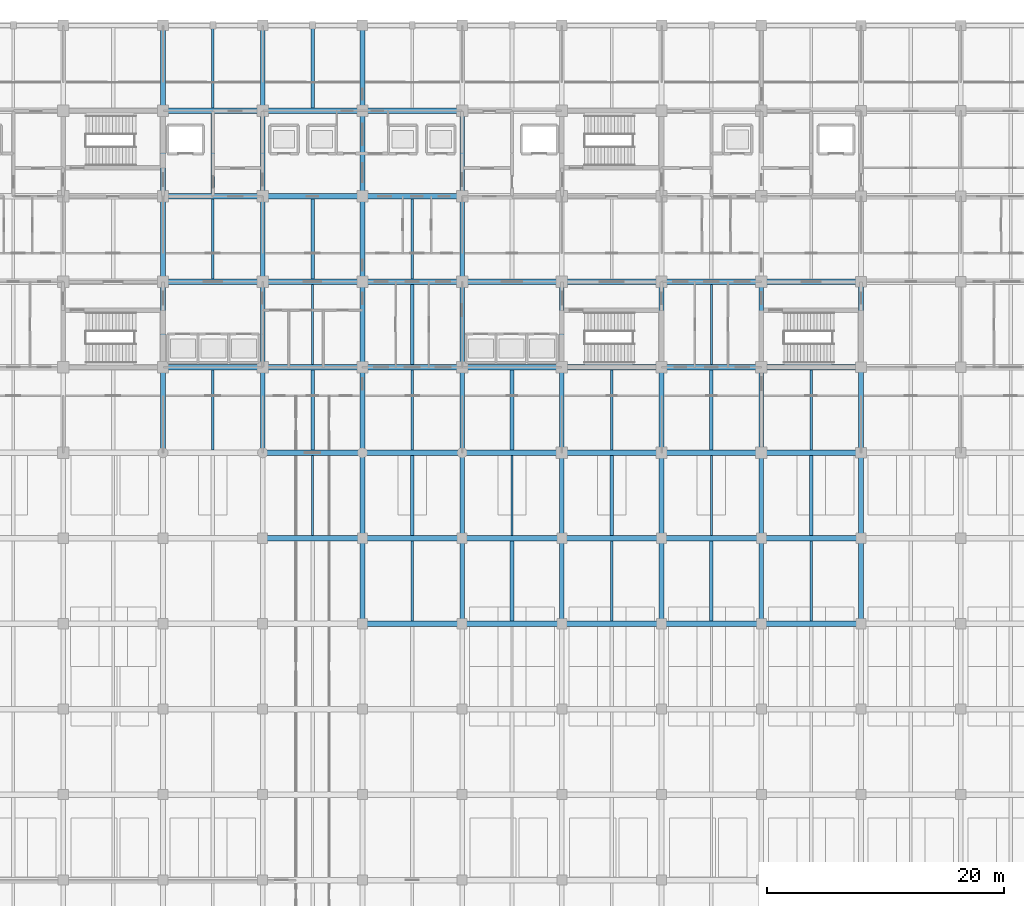
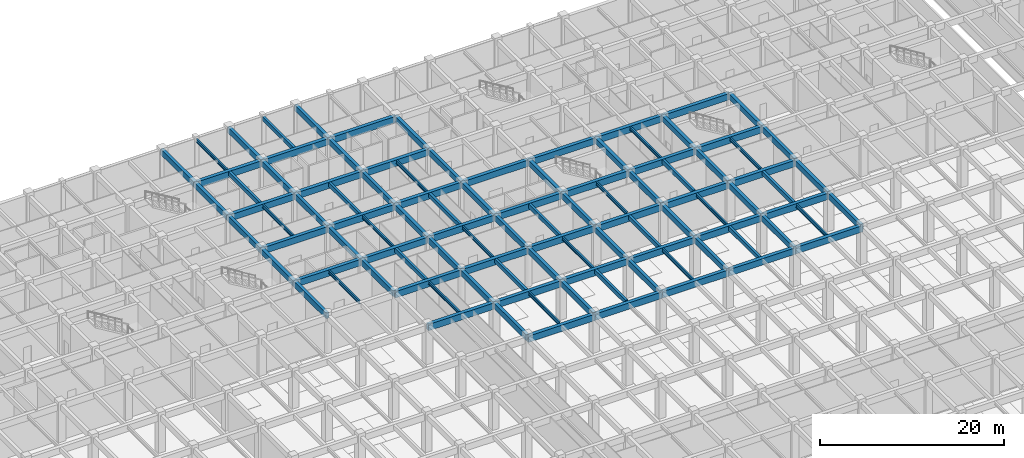
# One storey, part 8 of 48: 103 beams.
"""IFC4 building model written with IfcOpenShell, lengths in metres."""

from ifc_helpers import new_model, si_unit, direction, frame, origin, origin_2d, place, context, subcontext, project, spatial, rectangle, i_section, extrude, material, material_profile, profile_set, type_object, element, save


model = new_model("IFC4")

# Units and contexts
model_context = context("Model", 3, precision=1e-05, world=origin(), true_north=direction((0.0, 1.0)))
body_context = subcontext(model_context, "Body", "Model", "MODEL_VIEW")
ifc_project = project(units=[si_unit("LENGTHUNIT", "METRE"), si_unit("AREAUNIT", "SQUARE_METRE"), si_unit("VOLUMEUNIT", "CUBIC_METRE"), si_unit("PLANEANGLEUNIT", "RADIAN"), si_unit("MASSUNIT", "GRAM", prefix="KILO")], contexts=[model_context])

# Site, building, storey
site_placement = place(None, origin())
site = spatial("IfcSite", under=ifc_project, at=site_placement, CompositionType="ELEMENT")
building_placement = place(site_placement, origin())
building = spatial("IfcBuilding", under=site, at=building_placement, Name="Chengyuan Square Courthouse", CompositionType="ELEMENT")
storey_placement = place(building_placement, frame((0.0, 0.0, -5.39990234375)))
storey = spatial("IfcBuildingStorey", under=building, at=storey_placement, Name="B01", CompositionType="ELEMENT", Elevation=-5.39990234375)

# Beams
ifc_material_1 = material(Name="Concrete C40", Category="concrete")
ifc_material_profile_1 = material_profile(ifc_material_1, rectangle(XDim=0.449951171875, YDim=0.85009765625, at=origin_2d()), Name="RC-BM-450x850")
ifc_profile_set_1 = profile_set([ifc_material_profile_1], Name="Concrete C40")
beam_type_1 = type_object("IfcBeamType", Name="BM-01", PredefinedType="USERDEFINED", material=ifc_profile_set_1)
beam_1_placement = place(storey_placement, frame((84.0, 64.800048828125, 4.554931640625), z_axis=(1.0, 0.0, 0.0), x_axis=(0.0, 1.0, 0.0)))
element("IfcBeam", 1, at=beam_1_placement, inside=storey, type_object=beam_type_1, Name="Girder BM-B01-0861", ObjectType="GIRDER", PredefinedType="USERDEFINED", context=body_context, shape_type="SweptSolid", body=[
    extrude(rectangle(XDim=0.449951171875, YDim=0.85009765625, at=origin_2d()), origin(), (0.0, 0.0, 1.0), 8.39990234375),
])
beam_2_placement = place(storey_placement, frame((92.39990234375, 64.800048828125, 4.554931640625), z_axis=(1.0, 0.0, 0.0), x_axis=(0.0, 1.0, 0.0)))
element("IfcBeam", 2, at=beam_2_placement, inside=storey, type_object=beam_type_1, Name="Girder BM-B01-0862", ObjectType="GIRDER", PredefinedType="USERDEFINED", context=body_context, shape_type="SweptSolid", body=[
    extrude(rectangle(XDim=0.449951171875, YDim=0.85009765625, at=origin_2d()), origin(), (0.0, 0.0, 1.0), 8.400146484375),
])
beam_3_placement = place(storey_placement, frame((100.800048828125, 64.800048828125, 4.554931640625), z_axis=(1.0, 0.0, 0.0), x_axis=(0.0, 1.0, 0.0)))
element("IfcBeam", 3, at=beam_3_placement, inside=storey, type_object=beam_type_1, Name="Girder BM-B01-0863", ObjectType="GIRDER", PredefinedType="USERDEFINED", context=body_context, shape_type="SweptSolid", body=[
    extrude(rectangle(XDim=0.449951171875, YDim=0.85009765625, at=origin_2d()), origin(), (0.0, 0.0, 1.0), 8.39990234375),
])
beam_4_placement = place(storey_placement, frame((109.199951171875, 64.800048828125, 4.554931640625), z_axis=(1.0, 0.0, 0.0), x_axis=(0.0, 1.0, 0.0)))
element("IfcBeam", 4, at=beam_4_placement, inside=storey, type_object=beam_type_1, Name="Girder BM-B01-0864", ObjectType="GIRDER", PredefinedType="USERDEFINED", context=body_context, shape_type="SweptSolid", body=[
    extrude(rectangle(XDim=0.449951171875, YDim=0.85009765625, at=origin_2d()), origin(), (0.0, 0.0, 1.0), 8.400146484375),
])
for number, where, z_axis, x_axis, name in (
    (5, (117.60009765625, 64.800048828125, 4.554931640625), (1.0, 0.0, 0.0), (0.0, 1.0, 0.0), "Girder BM-B01-0865"),
    (6, (75.60009765625, 72.0, 4.6748046875), (1.0, 0.0, 0.0), (0.0, 1.0, 0.0), "Girder BM-B01-0879"),
    (7, (84.0, 72.0, 4.6748046875), (1.0, 0.0, 0.0), (0.0, 1.0, 0.0), "Girder BM-B01-0880"),
):
    element("IfcBeam", number, at=place(storey_placement, frame(where, z_axis=z_axis, x_axis=x_axis)), inside=storey, type_object=beam_type_1, Name=name, ObjectType="GIRDER", PredefinedType="USERDEFINED", context=body_context, shape_type="SweptSolid", body=[
        extrude(rectangle(XDim=0.449951171875, YDim=0.85009765625, at=origin_2d()), origin(), (0.0, 0.0, 1.0), 8.39990234375),
    ])
beam_5_placement = place(storey_placement, frame((92.39990234375, 72.0, 4.6748046875), z_axis=(1.0, 0.0, 0.0), x_axis=(0.0, 1.0, 0.0)))
element("IfcBeam", 8, at=beam_5_placement, inside=storey, type_object=beam_type_1, Name="Girder BM-B01-0881", ObjectType="GIRDER", PredefinedType="USERDEFINED", context=body_context, shape_type="SweptSolid", body=[
    extrude(rectangle(XDim=0.449951171875, YDim=0.85009765625, at=origin_2d()), origin(), (0.0, 0.0, 1.0), 8.400146484375),
])
beam_6_placement = place(storey_placement, frame((100.800048828125, 72.0, 4.554931640625), z_axis=(1.0, 0.0, 0.0), x_axis=(0.0, 1.0, 0.0)))
element("IfcBeam", 9, at=beam_6_placement, inside=storey, type_object=beam_type_1, Name="Girder BM-B01-0882", ObjectType="GIRDER", PredefinedType="USERDEFINED", context=body_context, shape_type="SweptSolid", body=[
    extrude(rectangle(XDim=0.449951171875, YDim=0.85009765625, at=origin_2d()), origin(), (0.0, 0.0, 1.0), 8.39990234375),
])
beam_7_placement = place(storey_placement, frame((109.199951171875, 72.0, 4.554931640625), z_axis=(1.0, 0.0, 0.0), x_axis=(0.0, 1.0, 0.0)))
element("IfcBeam", 10, at=beam_7_placement, inside=storey, type_object=beam_type_1, Name="Girder BM-B01-0883", ObjectType="GIRDER", PredefinedType="USERDEFINED", context=body_context, shape_type="SweptSolid", body=[
    extrude(rectangle(XDim=0.449951171875, YDim=0.85009765625, at=origin_2d()), origin(), (0.0, 0.0, 1.0), 8.400146484375),
])
for number, where, z_axis, x_axis, name in (
    (11, (117.60009765625, 72.0, 4.554931640625), (1.0, 0.0, 0.0), (0.0, 1.0, 0.0), "Girder BM-B01-0884"),
    (12, (75.60009765625, 79.199951171875, 4.6748046875), (1.0, 0.0, 0.0), (0.0, 1.0, 0.0), "Girder BM-B01-0898"),
    (13, (84.0, 79.199951171875, 4.6748046875), (1.0, 0.0, 0.0), (0.0, 1.0, 0.0), "Girder BM-B01-0899"),
):
    element("IfcBeam", number, at=place(storey_placement, frame(where, z_axis=z_axis, x_axis=x_axis)), inside=storey, type_object=beam_type_1, Name=name, ObjectType="GIRDER", PredefinedType="USERDEFINED", context=body_context, shape_type="SweptSolid", body=[
        extrude(rectangle(XDim=0.449951171875, YDim=0.85009765625, at=origin_2d()), origin(), (0.0, 0.0, 1.0), 8.39990234375),
    ])
beam_8_placement = place(storey_placement, frame((92.39990234375, 79.199951171875, 4.6748046875), z_axis=(1.0, 0.0, 0.0), x_axis=(0.0, 1.0, 0.0)))
element("IfcBeam", 14, at=beam_8_placement, inside=storey, type_object=beam_type_1, Name="Girder BM-B01-0900", ObjectType="GIRDER", PredefinedType="USERDEFINED", context=body_context, shape_type="SweptSolid", body=[
    extrude(rectangle(XDim=0.449951171875, YDim=0.85009765625, at=origin_2d()), origin(), (0.0, 0.0, 1.0), 8.400146484375),
])
beam_9_placement = place(storey_placement, frame((100.800048828125, 79.199951171875, 4.554931640625), z_axis=(1.0, 0.0, 0.0), x_axis=(0.0, 1.0, 0.0)))
element("IfcBeam", 15, at=beam_9_placement, inside=storey, type_object=beam_type_1, Name="Girder BM-B01-0901", ObjectType="GIRDER", PredefinedType="USERDEFINED", context=body_context, shape_type="SweptSolid", body=[
    extrude(rectangle(XDim=0.449951171875, YDim=0.85009765625, at=origin_2d()), origin(), (0.0, 0.0, 1.0), 8.39990234375),
])
beam_10_placement = place(storey_placement, frame((109.199951171875, 79.199951171875, 4.554931640625), z_axis=(1.0, 0.0, 0.0), x_axis=(0.0, 1.0, 0.0)))
element("IfcBeam", 16, at=beam_10_placement, inside=storey, type_object=beam_type_1, Name="Girder BM-B01-0902", ObjectType="GIRDER", PredefinedType="USERDEFINED", context=body_context, shape_type="SweptSolid", body=[
    extrude(rectangle(XDim=0.449951171875, YDim=0.85009765625, at=origin_2d()), origin(), (0.0, 0.0, 1.0), 8.400146484375),
])
beam_11_placement = place(storey_placement, frame((117.60009765625, 79.199951171875, 4.554931640625), z_axis=(1.0, 0.0, 0.0), x_axis=(0.0, 1.0, 0.0)))
element("IfcBeam", 17, at=beam_11_placement, inside=storey, type_object=beam_type_1, Name="Girder BM-B01-0903", ObjectType="GIRDER", PredefinedType="USERDEFINED", context=body_context, shape_type="SweptSolid", body=[
    extrude(rectangle(XDim=0.449951171875, YDim=0.85009765625, at=origin_2d()), origin(), (0.0, 0.0, 1.0), 8.39990234375),
])
beam_12_placement = place(storey_placement, frame((67.199951171875, 86.39990234375, 4.6748046875), z_axis=(1.0, 0.0, 0.0), x_axis=(0.0, 1.0, 0.0)))
element("IfcBeam", 18, at=beam_12_placement, inside=storey, type_object=beam_type_1, Name="Girder BM-B01-0916", ObjectType="GIRDER", PredefinedType="USERDEFINED", context=body_context, shape_type="SweptSolid", body=[
    extrude(rectangle(XDim=0.449951171875, YDim=0.85009765625, at=origin_2d()), origin(), (0.0, 0.0, 1.0), 8.400146484375),
])
for number, where, z_axis, x_axis, name in (
    (19, (75.60009765625, 86.39990234375, 4.6748046875), (1.0, 0.0, 0.0), (0.0, 1.0, 0.0), "Girder BM-B01-0917"),
    (20, (84.0, 86.39990234375, 4.6748046875), (1.0, 0.0, 0.0), (0.0, 1.0, 0.0), "Girder BM-B01-0918"),
):
    element("IfcBeam", number, at=place(storey_placement, frame(where, z_axis=z_axis, x_axis=x_axis)), inside=storey, type_object=beam_type_1, Name=name, ObjectType="GIRDER", PredefinedType="USERDEFINED", context=body_context, shape_type="SweptSolid", body=[
        extrude(rectangle(XDim=0.449951171875, YDim=0.85009765625, at=origin_2d()), origin(), (0.0, 0.0, 1.0), 8.39990234375),
    ])
beam_13_placement = place(storey_placement, frame((92.39990234375, 86.39990234375, 4.6748046875), z_axis=(1.0, 0.0, 0.0), x_axis=(0.0, 1.0, 0.0)))
element("IfcBeam", 21, at=beam_13_placement, inside=storey, type_object=beam_type_1, Name="Girder BM-B01-0919", ObjectType="GIRDER", PredefinedType="USERDEFINED", context=body_context, shape_type="SweptSolid", body=[
    extrude(rectangle(XDim=0.449951171875, YDim=0.85009765625, at=origin_2d()), origin(), (0.0, 0.0, 1.0), 8.400146484375),
])
beam_14_placement = place(storey_placement, frame((100.800048828125, 86.39990234375, 4.6748046875), z_axis=(1.0, 0.0, 0.0), x_axis=(0.0, 1.0, 0.0)))
element("IfcBeam", 22, at=beam_14_placement, inside=storey, type_object=beam_type_1, Name="Girder BM-B01-0920", ObjectType="GIRDER", PredefinedType="USERDEFINED", context=body_context, shape_type="SweptSolid", body=[
    extrude(rectangle(XDim=0.449951171875, YDim=0.85009765625, at=origin_2d()), origin(), (0.0, 0.0, 1.0), 8.39990234375),
])
beam_15_placement = place(storey_placement, frame((109.199951171875, 86.39990234375, 4.6748046875), z_axis=(1.0, 0.0, 0.0), x_axis=(0.0, 1.0, 0.0)))
element("IfcBeam", 23, at=beam_15_placement, inside=storey, type_object=beam_type_1, Name="Girder BM-B01-0921", ObjectType="GIRDER", PredefinedType="USERDEFINED", context=body_context, shape_type="SweptSolid", body=[
    extrude(rectangle(XDim=0.449951171875, YDim=0.85009765625, at=origin_2d()), origin(), (0.0, 0.0, 1.0), 8.400146484375),
])
beam_16_placement = place(storey_placement, frame((117.60009765625, 86.39990234375, 4.6748046875), z_axis=(1.0, 0.0, 0.0), x_axis=(0.0, 1.0, 0.0)))
element("IfcBeam", 24, at=beam_16_placement, inside=storey, type_object=beam_type_1, Name="Girder BM-B01-0922", ObjectType="GIRDER", PredefinedType="USERDEFINED", context=body_context, shape_type="SweptSolid", body=[
    extrude(rectangle(XDim=0.449951171875, YDim=0.85009765625, at=origin_2d()), origin(), (0.0, 0.0, 1.0), 8.39990234375),
])
beam_17_placement = place(storey_placement, frame((67.199951171875, 93.60009765625, 4.6748046875), z_axis=(1.0, 0.0, 0.0), x_axis=(0.0, 1.0, 0.0)))
element("IfcBeam", 25, at=beam_17_placement, inside=storey, type_object=beam_type_1, Name="Girder BM-B01-0935", ObjectType="GIRDER", PredefinedType="USERDEFINED", context=body_context, shape_type="SweptSolid", body=[
    extrude(rectangle(XDim=0.449951171875, YDim=0.85009765625, at=origin_2d()), origin(), (0.0, 0.0, 1.0), 8.400146484375),
])
for number, where, z_axis, x_axis, name in (
    (26, (75.60009765625, 93.60009765625, 4.6748046875), (1.0, 0.0, 0.0), (0.0, 1.0, 0.0), "Girder BM-B01-0936"),
    (27, (84.0, 93.60009765625, 4.6748046875), (1.0, 0.0, 0.0), (0.0, 1.0, 0.0), "Girder BM-B01-0937"),
):
    element("IfcBeam", number, at=place(storey_placement, frame(where, z_axis=z_axis, x_axis=x_axis)), inside=storey, type_object=beam_type_1, Name=name, ObjectType="GIRDER", PredefinedType="USERDEFINED", context=body_context, shape_type="SweptSolid", body=[
        extrude(rectangle(XDim=0.449951171875, YDim=0.85009765625, at=origin_2d()), origin(), (0.0, 0.0, 1.0), 8.39990234375),
    ])
beam_18_placement = place(storey_placement, frame((92.39990234375, 93.60009765625, 4.6748046875), z_axis=(1.0, 0.0, 0.0), x_axis=(0.0, 1.0, 0.0)))
element("IfcBeam", 28, at=beam_18_placement, inside=storey, type_object=beam_type_1, Name="Girder BM-B01-0938", ObjectType="GIRDER", PredefinedType="USERDEFINED", context=body_context, shape_type="SweptSolid", body=[
    extrude(rectangle(XDim=0.449951171875, YDim=0.85009765625, at=origin_2d()), origin(), (0.0, 0.0, 1.0), 8.400146484375),
])
beam_19_placement = place(storey_placement, frame((100.800048828125, 93.60009765625, 4.6748046875), z_axis=(1.0, 0.0, 0.0), x_axis=(0.0, 1.0, 0.0)))
element("IfcBeam", 29, at=beam_19_placement, inside=storey, type_object=beam_type_1, Name="Girder BM-B01-0939", ObjectType="GIRDER", PredefinedType="USERDEFINED", context=body_context, shape_type="SweptSolid", body=[
    extrude(rectangle(XDim=0.449951171875, YDim=0.85009765625, at=origin_2d()), origin(), (0.0, 0.0, 1.0), 8.39990234375),
])
beam_20_placement = place(storey_placement, frame((109.199951171875, 93.60009765625, 4.6748046875), z_axis=(1.0, 0.0, 0.0), x_axis=(0.0, 1.0, 0.0)))
element("IfcBeam", 30, at=beam_20_placement, inside=storey, type_object=beam_type_1, Name="Girder BM-B01-0940", ObjectType="GIRDER", PredefinedType="USERDEFINED", context=body_context, shape_type="SweptSolid", body=[
    extrude(rectangle(XDim=0.449951171875, YDim=0.85009765625, at=origin_2d()), origin(), (0.0, 0.0, 1.0), 8.400146484375),
])
beam_21_placement = place(storey_placement, frame((117.60009765625, 93.60009765625, 4.6748046875), z_axis=(1.0, 0.0, 0.0), x_axis=(0.0, 1.0, 0.0)))
element("IfcBeam", 31, at=beam_21_placement, inside=storey, type_object=beam_type_1, Name="Girder BM-B01-0941", ObjectType="GIRDER", PredefinedType="USERDEFINED", context=body_context, shape_type="SweptSolid", body=[
    extrude(rectangle(XDim=0.449951171875, YDim=0.85009765625, at=origin_2d()), origin(), (0.0, 0.0, 1.0), 8.39990234375),
])
beam_22_placement = place(storey_placement, frame((67.199951171875, 100.800048828125, 4.6748046875), z_axis=(1.0, 0.0, 0.0), x_axis=(0.0, 1.0, 0.0)))
element("IfcBeam", 32, at=beam_22_placement, inside=storey, type_object=beam_type_1, Name="Girder BM-B01-0954", ObjectType="GIRDER", PredefinedType="USERDEFINED", context=body_context, shape_type="SweptSolid", body=[
    extrude(rectangle(XDim=0.449951171875, YDim=0.85009765625, at=origin_2d()), origin(), (0.0, 0.0, 1.0), 8.400146484375),
])
for number, where, z_axis, x_axis, name in (
    (33, (75.60009765625, 100.800048828125, 4.6748046875), (1.0, 0.0, 0.0), (0.0, 1.0, 0.0), "Girder BM-B01-0955"),
    (34, (84.0, 100.800048828125, 4.6748046875), (1.0, 0.0, 0.0), (0.0, 1.0, 0.0), "Girder BM-B01-0956"),
):
    element("IfcBeam", number, at=place(storey_placement, frame(where, z_axis=z_axis, x_axis=x_axis)), inside=storey, type_object=beam_type_1, Name=name, ObjectType="GIRDER", PredefinedType="USERDEFINED", context=body_context, shape_type="SweptSolid", body=[
        extrude(rectangle(XDim=0.449951171875, YDim=0.85009765625, at=origin_2d()), origin(), (0.0, 0.0, 1.0), 8.39990234375),
    ])
beam_23_placement = place(storey_placement, frame((67.199951171875, 108.0, 4.6748046875), z_axis=(1.0, 0.0, 0.0), x_axis=(0.0, 1.0, 0.0)))
element("IfcBeam", 35, at=beam_23_placement, inside=storey, type_object=beam_type_1, Name="Girder BM-B01-0974", ObjectType="GIRDER", PredefinedType="USERDEFINED", context=body_context, shape_type="SweptSolid", body=[
    extrude(rectangle(XDim=0.449951171875, YDim=0.85009765625, at=origin_2d()), origin(), (0.0, 0.0, 1.0), 8.400146484375),
])
for number, where, z_axis, x_axis, name in (
    (36, (75.60009765625, 108.0, 4.6748046875), (1.0, 0.0, 0.0), (0.0, 1.0, 0.0), "Girder BM-B01-0975"),
    (37, (84.0, 108.0, 4.6748046875), (1.0, 0.0, 0.0), (0.0, 1.0, 0.0), "Girder BM-B01-0976"),
):
    element("IfcBeam", number, at=place(storey_placement, frame(where, z_axis=z_axis, x_axis=x_axis)), inside=storey, type_object=beam_type_1, Name=name, ObjectType="GIRDER", PredefinedType="USERDEFINED", context=body_context, shape_type="SweptSolid", body=[
        extrude(rectangle(XDim=0.449951171875, YDim=0.85009765625, at=origin_2d()), origin(), (0.0, 0.0, 1.0), 8.39990234375),
    ])
ifc_material_profile_2 = material_profile(ifc_material_1, rectangle(XDim=0.39990234375, YDim=0.75, at=origin_2d()), Name="RC-BM-400x750")
ifc_profile_set_2 = profile_set([ifc_material_profile_2], Name="Concrete C40")
beam_type_2 = type_object("IfcBeamType", Name="BM-02", PredefinedType="USERDEFINED", material=ifc_profile_set_2)
beam_24_placement = place(storey_placement, frame((67.199951171875, 79.199951171875, 4.724853515625), z_axis=(0.0, 1.0, 0.0), x_axis=(-1.0, 0.0, 0.0)))
element("IfcBeam", 38, at=beam_24_placement, inside=storey, type_object=beam_type_2, Name="Girder BM-B01-1145", ObjectType="GIRDER", PredefinedType="USERDEFINED", context=body_context, shape_type="SweptSolid", body=[
    extrude(rectangle(XDim=0.39990234375, YDim=0.75, at=origin_2d()), origin(), (0.0, 0.0, 1.0), 7.199951171875),
])
beam_25_placement = place(storey_placement, frame((67.199951171875, 86.39990234375, 4.724853515625), z_axis=(0.0, 1.0, 0.0), x_axis=(-1.0, 0.0, 0.0)))
element("IfcBeam", 39, at=beam_25_placement, inside=storey, type_object=beam_type_2, Name="Girder BM-B01-1146", ObjectType="GIRDER", PredefinedType="USERDEFINED", context=body_context, shape_type="SweptSolid", body=[
    extrude(rectangle(XDim=0.39990234375, YDim=0.75, at=origin_2d()), origin(), (0.0, 0.0, 1.0), 7.2001953125),
])
for number, where, z_axis, x_axis, name in (
    (40, (67.199951171875, 93.60009765625, 4.724853515625), (0.0, 1.0, 0.0), (-1.0, 0.0, 0.0), "Girder BM-B01-1147"),
    (41, (67.199951171875, 100.800048828125, 4.724853515625), (0.0, 1.0, 0.0), (-1.0, 0.0, 0.0), "Girder BM-B01-1148"),
    (42, (67.199951171875, 108.0, 4.724853515625), (0.0, 1.0, 0.0), (-1.0, 0.0, 0.0), "Girder BM-B01-1149"),
    (43, (75.60009765625, 79.199951171875, 4.724853515625), (0.0, 1.0, 0.0), (-1.0, 0.0, 0.0), "Girder BM-B01-1161"),
):
    element("IfcBeam", number, at=place(storey_placement, frame(where, z_axis=z_axis, x_axis=x_axis)), inside=storey, type_object=beam_type_2, Name=name, ObjectType="GIRDER", PredefinedType="USERDEFINED", context=body_context, shape_type="SweptSolid", body=[
        extrude(rectangle(XDim=0.39990234375, YDim=0.75, at=origin_2d()), origin(), (0.0, 0.0, 1.0), 7.199951171875),
    ])
beam_26_placement = place(storey_placement, frame((75.60009765625, 86.39990234375, 4.724853515625), z_axis=(0.0, 1.0, 0.0), x_axis=(-1.0, 0.0, 0.0)))
element("IfcBeam", 44, at=beam_26_placement, inside=storey, type_object=beam_type_2, Name="Girder BM-B01-1162", ObjectType="GIRDER", PredefinedType="USERDEFINED", context=body_context, shape_type="SweptSolid", body=[
    extrude(rectangle(XDim=0.39990234375, YDim=0.75, at=origin_2d()), origin(), (0.0, 0.0, 1.0), 7.2001953125),
])
for number, where, z_axis, x_axis, name in (
    (45, (75.60009765625, 93.60009765625, 4.724853515625), (0.0, 1.0, 0.0), (-1.0, 0.0, 0.0), "Girder BM-B01-1163"),
    (46, (75.60009765625, 100.800048828125, 4.724853515625), (0.0, 1.0, 0.0), (-1.0, 0.0, 0.0), "Girder BM-B01-1164"),
    (47, (75.60009765625, 108.0, 4.724853515625), (0.0, 1.0, 0.0), (-1.0, 0.0, 0.0), "Girder BM-B01-1165"),
    (48, (84.0, 64.800048828125, 4.724853515625), (0.0, 1.0, 0.0), (-1.0, 0.0, 0.0), "Girder BM-B01-1175"),
    (49, (84.0, 72.0, 4.724853515625), (0.0, 1.0, 0.0), (-1.0, 0.0, 0.0), "Girder BM-B01-1176"),
    (50, (84.0, 79.199951171875, 4.724853515625), (0.0, 1.0, 0.0), (-1.0, 0.0, 0.0), "Girder BM-B01-1177"),
):
    element("IfcBeam", number, at=place(storey_placement, frame(where, z_axis=z_axis, x_axis=x_axis)), inside=storey, type_object=beam_type_2, Name=name, ObjectType="GIRDER", PredefinedType="USERDEFINED", context=body_context, shape_type="SweptSolid", body=[
        extrude(rectangle(XDim=0.39990234375, YDim=0.75, at=origin_2d()), origin(), (0.0, 0.0, 1.0), 7.199951171875),
    ])
beam_27_placement = place(storey_placement, frame((84.0, 86.39990234375, 4.724853515625), z_axis=(0.0, 1.0, 0.0), x_axis=(-1.0, 0.0, 0.0)))
element("IfcBeam", 51, at=beam_27_placement, inside=storey, type_object=beam_type_2, Name="Girder BM-B01-1178", ObjectType="GIRDER", PredefinedType="USERDEFINED", context=body_context, shape_type="SweptSolid", body=[
    extrude(rectangle(XDim=0.39990234375, YDim=0.75, at=origin_2d()), origin(), (0.0, 0.0, 1.0), 7.2001953125),
])
for number, where, z_axis, x_axis, name in (
    (52, (84.0, 93.60009765625, 4.724853515625), (0.0, 1.0, 0.0), (-1.0, 0.0, 0.0), "Girder BM-B01-1179"),
    (53, (84.0, 100.800048828125, 4.724853515625), (0.0, 1.0, 0.0), (-1.0, 0.0, 0.0), "Girder BM-B01-1180"),
    (54, (84.0, 108.0, 4.724853515625), (0.0, 1.0, 0.0), (-1.0, 0.0, 0.0), "Girder BM-B01-1181"),
    (55, (92.39990234375, 64.800048828125, 4.724853515625), (0.0, 1.0, 0.0), (-1.0, 0.0, 0.0), "Girder BM-B01-1191"),
    (56, (92.39990234375, 72.0, 4.724853515625), (0.0, 1.0, 0.0), (-1.0, 0.0, 0.0), "Girder BM-B01-1192"),
    (57, (92.39990234375, 79.199951171875, 4.724853515625), (0.0, 1.0, 0.0), (-1.0, 0.0, 0.0), "Girder BM-B01-1193"),
):
    element("IfcBeam", number, at=place(storey_placement, frame(where, z_axis=z_axis, x_axis=x_axis)), inside=storey, type_object=beam_type_2, Name=name, ObjectType="GIRDER", PredefinedType="USERDEFINED", context=body_context, shape_type="SweptSolid", body=[
        extrude(rectangle(XDim=0.39990234375, YDim=0.75, at=origin_2d()), origin(), (0.0, 0.0, 1.0), 7.199951171875),
    ])
beam_28_placement = place(storey_placement, frame((92.39990234375, 86.39990234375, 4.724853515625), z_axis=(0.0, 1.0, 0.0), x_axis=(-1.0, 0.0, 0.0)))
element("IfcBeam", 58, at=beam_28_placement, inside=storey, type_object=beam_type_2, Name="Girder BM-B01-1194", ObjectType="GIRDER", PredefinedType="USERDEFINED", context=body_context, shape_type="SweptSolid", body=[
    extrude(rectangle(XDim=0.39990234375, YDim=0.75, at=origin_2d()), origin(), (0.0, 0.0, 1.0), 7.2001953125),
])
for number, where, z_axis, x_axis, name in (
    (59, (92.39990234375, 93.60009765625, 4.724853515625), (0.0, 1.0, 0.0), (-1.0, 0.0, 0.0), "Girder BM-B01-1195"),
    (60, (92.39990234375, 100.800048828125, 4.724853515625), (0.0, 1.0, 0.0), (-1.0, 0.0, 0.0), "Girder BM-B01-1196"),
    (61, (100.800048828125, 64.800048828125, 4.60498046875), (0.0, 1.0, 0.0), (-1.0, 0.0, 0.0), "Girder BM-B01-1207"),
    (62, (100.800048828125, 72.0, 4.60498046875), (0.0, 1.0, 0.0), (-1.0, 0.0, 0.0), "Girder BM-B01-1208"),
    (63, (100.800048828125, 79.199951171875, 4.724853515625), (0.0, 1.0, 0.0), (-1.0, 0.0, 0.0), "Girder BM-B01-1209"),
):
    element("IfcBeam", number, at=place(storey_placement, frame(where, z_axis=z_axis, x_axis=x_axis)), inside=storey, type_object=beam_type_2, Name=name, ObjectType="GIRDER", PredefinedType="USERDEFINED", context=body_context, shape_type="SweptSolid", body=[
        extrude(rectangle(XDim=0.39990234375, YDim=0.75, at=origin_2d()), origin(), (0.0, 0.0, 1.0), 7.199951171875),
    ])
beam_29_placement = place(storey_placement, frame((100.800048828125, 86.39990234375, 4.724853515625), z_axis=(0.0, 1.0, 0.0), x_axis=(-1.0, 0.0, 0.0)))
element("IfcBeam", 64, at=beam_29_placement, inside=storey, type_object=beam_type_2, Name="Girder BM-B01-1210", ObjectType="GIRDER", PredefinedType="USERDEFINED", context=body_context, shape_type="SweptSolid", body=[
    extrude(rectangle(XDim=0.39990234375, YDim=0.75, at=origin_2d()), origin(), (0.0, 0.0, 1.0), 7.2001953125),
])
for number, where, z_axis, x_axis, name in (
    (65, (109.199951171875, 64.800048828125, 4.60498046875), (0.0, 1.0, 0.0), (-1.0, 0.0, 0.0), "Girder BM-B01-1223"),
    (66, (109.199951171875, 72.0, 4.60498046875), (0.0, 1.0, 0.0), (-1.0, 0.0, 0.0), "Girder BM-B01-1224"),
    (67, (109.199951171875, 79.199951171875, 4.724853515625), (0.0, 1.0, 0.0), (-1.0, 0.0, 0.0), "Girder BM-B01-1225"),
):
    element("IfcBeam", number, at=place(storey_placement, frame(where, z_axis=z_axis, x_axis=x_axis)), inside=storey, type_object=beam_type_2, Name=name, ObjectType="GIRDER", PredefinedType="USERDEFINED", context=body_context, shape_type="SweptSolid", body=[
        extrude(rectangle(XDim=0.39990234375, YDim=0.75, at=origin_2d()), origin(), (0.0, 0.0, 1.0), 7.199951171875),
    ])
beam_30_placement = place(storey_placement, frame((109.199951171875, 86.39990234375, 4.724853515625), z_axis=(0.0, 1.0, 0.0), x_axis=(-1.0, 0.0, 0.0)))
element("IfcBeam", 68, at=beam_30_placement, inside=storey, type_object=beam_type_2, Name="Girder BM-B01-1226", ObjectType="GIRDER", PredefinedType="USERDEFINED", context=body_context, shape_type="SweptSolid", body=[
    extrude(rectangle(XDim=0.39990234375, YDim=0.75, at=origin_2d()), origin(), (0.0, 0.0, 1.0), 7.2001953125),
])
for number, where, z_axis, x_axis, name in (
    (69, (117.60009765625, 64.800048828125, 4.60498046875), (0.0, 1.0, 0.0), (-1.0, 0.0, 0.0), "Girder BM-B01-1239"),
    (70, (117.60009765625, 72.0, 4.60498046875), (0.0, 1.0, 0.0), (-1.0, 0.0, 0.0), "Girder BM-B01-1240"),
    (71, (117.60009765625, 79.199951171875, 4.724853515625), (0.0, 1.0, 0.0), (-1.0, 0.0, 0.0), "Girder BM-B01-1241"),
):
    element("IfcBeam", number, at=place(storey_placement, frame(where, z_axis=z_axis, x_axis=x_axis)), inside=storey, type_object=beam_type_2, Name=name, ObjectType="GIRDER", PredefinedType="USERDEFINED", context=body_context, shape_type="SweptSolid", body=[
        extrude(rectangle(XDim=0.39990234375, YDim=0.75, at=origin_2d()), origin(), (0.0, 0.0, 1.0), 7.199951171875),
    ])
beam_31_placement = place(storey_placement, frame((117.60009765625, 86.39990234375, 4.724853515625), z_axis=(0.0, 1.0, 0.0), x_axis=(-1.0, 0.0, 0.0)))
element("IfcBeam", 72, at=beam_31_placement, inside=storey, type_object=beam_type_2, Name="Girder BM-B01-1242", ObjectType="GIRDER", PredefinedType="USERDEFINED", context=body_context, shape_type="SweptSolid", body=[
    extrude(rectangle(XDim=0.39990234375, YDim=0.75, at=origin_2d()), origin(), (0.0, 0.0, 1.0), 7.2001953125),
])
for number, where, z_axis, x_axis, name in (
    (73, (126.0, 64.800048828125, 4.60498046875), (0.0, 1.0, 0.0), (-1.0, 0.0, 0.0), "Girder BM-B01-1255"),
    (74, (126.0, 72.0, 4.60498046875), (0.0, 1.0, 0.0), (-1.0, 0.0, 0.0), "Girder BM-B01-1256"),
    (75, (126.0, 79.199951171875, 4.724853515625), (0.0, 1.0, 0.0), (-1.0, 0.0, 0.0), "Girder BM-B01-1257"),
):
    element("IfcBeam", number, at=place(storey_placement, frame(where, z_axis=z_axis, x_axis=x_axis)), inside=storey, type_object=beam_type_2, Name=name, ObjectType="GIRDER", PredefinedType="USERDEFINED", context=body_context, shape_type="SweptSolid", body=[
        extrude(rectangle(XDim=0.39990234375, YDim=0.75, at=origin_2d()), origin(), (0.0, 0.0, 1.0), 7.199951171875),
    ])
beam_32_placement = place(storey_placement, frame((126.0, 86.39990234375, 4.724853515625), z_axis=(0.0, 1.0, 0.0), x_axis=(-1.0, 0.0, 0.0)))
element("IfcBeam", 76, at=beam_32_placement, inside=storey, type_object=beam_type_2, Name="Girder BM-B01-1258", ObjectType="GIRDER", PredefinedType="USERDEFINED", context=body_context, shape_type="SweptSolid", body=[
    extrude(rectangle(XDim=0.39990234375, YDim=0.75, at=origin_2d()), origin(), (0.0, 0.0, 1.0), 7.2001953125),
])
ifc_material_profile_3 = material_profile(ifc_material_1, rectangle(XDim=0.300048828125, YDim=0.550048828125, at=origin_2d()), Name="RC-BM-300x550")
ifc_profile_set_3 = profile_set([ifc_material_profile_3], Name="Concrete C40")
beam_type_3 = type_object("IfcBeamType", Name="BM-04", PredefinedType="BEAM", material=ifc_profile_set_3)
for number, where, z_axis, x_axis, name in (
    (77, (71.39990234375, 101.02490234375, 4.824951171875), (0.0, 1.0, 0.0), (-1.0, 0.0, 0.0), "Secondary Floor Beam SBM-B01-1471"),
    (78, (79.800048828125, 79.425048828125, 4.824951171875), (0.0, 1.0, 0.0), (-1.0, 0.0, 0.0), "Secondary Floor Beam SBM-B01-1484"),
    (79, (79.800048828125, 93.824951171875, 4.824951171875), (0.0, 1.0, 0.0), (-1.0, 0.0, 0.0), "Secondary Floor Beam SBM-B01-1486"),
):
    element("IfcBeam", number, at=place(storey_placement, frame(where, z_axis=z_axis, x_axis=x_axis)), inside=storey, type_object=beam_type_3, Name=name, PredefinedType="BEAM", context=body_context, shape_type="SweptSolid", body=[
        extrude(rectangle(XDim=0.300048828125, YDim=0.550048828125, at=origin_2d()), origin(), (0.0, 0.0, 1.0), 6.75),
    ])
beam_33_placement = place(storey_placement, frame((79.800048828125, 108.22509765625, 4.824951171875), z_axis=(0.0, 1.0, 0.0), x_axis=(-1.0, 0.0, 0.0)))
element("IfcBeam", 80, at=beam_33_placement, inside=storey, type_object=beam_type_3, Name="Secondary Floor Beam SBM-B01-1487", PredefinedType="BEAM", context=body_context, shape_type="SweptSolid", body=[
    extrude(rectangle(XDim=0.300048828125, YDim=0.550048828125, at=origin_2d()), origin(), (0.0, 0.0, 1.0), 6.7998046875),
])
for number, where, z_axis, x_axis, name in (
    (81, (88.199951171875, 72.22509765625, 4.824951171875), (0.0, 1.0, 0.0), (-1.0, 0.0, 0.0), "Secondary Floor Beam SBM-B01-1498"),
    (82, (88.199951171875, 86.625, 4.824951171875), (0.0, 1.0, 0.0), (-1.0, 0.0, 0.0), "Secondary Floor Beam SBM-B01-1500"),
    (83, (96.60009765625, 65.02490234375, 4.824951171875), (0.0, 1.0, 0.0), (-1.0, 0.0, 0.0), "Secondary Floor Beam SBM-B01-1512"),
    (84, (96.60009765625, 79.425048828125, 4.824951171875), (0.0, 1.0, 0.0), (-1.0, 0.0, 0.0), "Secondary Floor Beam SBM-B01-1514"),
    (85, (105.0, 72.22509765625, 4.704833984375), (0.0, 1.0, 0.0), (-1.0, 0.0, 0.0), "Secondary Floor Beam SBM-B01-1528"),
    (86, (113.39990234375, 65.02490234375, 4.704833984375), (0.0, 1.0, 0.0), (-1.0, 0.0, 0.0), "Secondary Floor Beam SBM-B01-1541"),
    (87, (113.39990234375, 79.425048828125, 4.824951171875), (0.0, 1.0, 0.0), (-1.0, 0.0, 0.0), "Secondary Floor Beam SBM-B01-1543"),
    (88, (121.800048828125, 72.22509765625, 4.704833984375), (0.0, 1.0, 0.0), (-1.0, 0.0, 0.0), "Secondary Floor Beam SBM-B01-1558"),
):
    element("IfcBeam", number, at=place(storey_placement, frame(where, z_axis=z_axis, x_axis=x_axis)), inside=storey, type_object=beam_type_3, Name=name, PredefinedType="BEAM", context=body_context, shape_type="SweptSolid", body=[
        extrude(rectangle(XDim=0.300048828125, YDim=0.550048828125, at=origin_2d()), origin(), (0.0, 0.0, 1.0), 6.75),
    ])
ifc_material_2 = material(Name="Steel Q355B", Category="steel")
ifc_material_profile_4 = material_profile(ifc_material_2, i_section(OverallWidth=0.199951171875, OverallDepth=0.449951171875, WebThickness=0.009033203125, FlangeThickness=0.013916015625, at=origin_2d()), Name="HN 450x200x9x14")
ifc_profile_set_4 = profile_set([ifc_material_profile_4], Name="Steel Q355B")
beam_type_4 = type_object("IfcBeamType", Name="BM-06", PredefinedType="BEAM", material=ifc_profile_set_4)
for number, where, z_axis, x_axis, name in (
    (89, (71.39990234375, 79.425048828125, 4.875), (0.0, 1.0, 0.0), (-1.0, 0.0, 0.0), "Secondary Floor Beam SBM-B01-1469"),
    (90, (71.39990234375, 93.824951171875, 4.875), (0.0, 1.0, 0.0), (-1.0, 0.0, 0.0), "Secondary Floor Beam SBM-B01-1470"),
):
    element("IfcBeam", number, at=place(storey_placement, frame(where, z_axis=z_axis, x_axis=x_axis)), inside=storey, type_object=beam_type_4, Name=name, PredefinedType="BEAM", context=body_context, shape_type="SweptSolid", body=[
        extrude(i_section(OverallWidth=0.199951171875, OverallDepth=0.449951171875, WebThickness=0.009033203125, FlangeThickness=0.013916015625, at=origin_2d()), origin(), (0.0, 0.0, 1.0), 6.75),
    ])
beam_34_placement = place(storey_placement, frame((71.39990234375, 108.22509765625, 4.875), z_axis=(0.0, 1.0, 0.0), x_axis=(-1.0, 0.0, 0.0)))
element("IfcBeam", 91, at=beam_34_placement, inside=storey, type_object=beam_type_4, Name="Secondary Floor Beam SBM-B01-1472", PredefinedType="BEAM", context=body_context, shape_type="SweptSolid", body=[
    extrude(i_section(OverallWidth=0.199951171875, OverallDepth=0.449951171875, WebThickness=0.009033203125, FlangeThickness=0.013916015625, at=origin_2d()), origin(), (0.0, 0.0, 1.0), 6.7998046875),
])
for number, where, z_axis, x_axis, name in (
    (92, (79.800048828125, 72.22509765625, 4.875), (0.0, 1.0, 0.0), (-1.0, 0.0, 0.0), "Secondary Floor Beam SBM-B01-1483"),
    (93, (79.800048828125, 86.625, 4.875), (0.0, 1.0, 0.0), (-1.0, 0.0, 0.0), "Secondary Floor Beam SBM-B01-1485"),
    (94, (88.199951171875, 65.02490234375, 4.875), (0.0, 1.0, 0.0), (-1.0, 0.0, 0.0), "Secondary Floor Beam SBM-B01-1497"),
    (95, (88.199951171875, 79.425048828125, 4.875), (0.0, 1.0, 0.0), (-1.0, 0.0, 0.0), "Secondary Floor Beam SBM-B01-1499"),
    (96, (88.199951171875, 93.824951171875, 4.875), (0.0, 1.0, 0.0), (-1.0, 0.0, 0.0), "Secondary Floor Beam SBM-B01-1501"),
    (97, (96.60009765625, 72.22509765625, 4.875), (0.0, 1.0, 0.0), (-1.0, 0.0, 0.0), "Secondary Floor Beam SBM-B01-1513"),
    (98, (105.0, 65.02490234375, 4.7548828125), (0.0, 1.0, 0.0), (-1.0, 0.0, 0.0), "Secondary Floor Beam SBM-B01-1527"),
    (99, (105.0, 79.425048828125, 4.875), (0.0, 1.0, 0.0), (-1.0, 0.0, 0.0), "Secondary Floor Beam SBM-B01-1529"),
    (100, (113.39990234375, 72.22509765625, 4.7548828125), (0.0, 1.0, 0.0), (-1.0, 0.0, 0.0), "Secondary Floor Beam SBM-B01-1542"),
    (101, (113.39990234375, 86.625, 4.875), (0.0, 1.0, 0.0), (-1.0, 0.0, 0.0), "Secondary Floor Beam SBM-B01-1544"),
    (102, (121.800048828125, 65.02490234375, 4.7548828125), (0.0, 1.0, 0.0), (-1.0, 0.0, 0.0), "Secondary Floor Beam SBM-B01-1557"),
    (103, (121.800048828125, 79.425048828125, 4.875), (0.0, 1.0, 0.0), (-1.0, 0.0, 0.0), "Secondary Floor Beam SBM-B01-1559"),
):
    element("IfcBeam", number, at=place(storey_placement, frame(where, z_axis=z_axis, x_axis=x_axis)), inside=storey, type_object=beam_type_4, Name=name, PredefinedType="BEAM", context=body_context, shape_type="SweptSolid", body=[
        extrude(i_section(OverallWidth=0.199951171875, OverallDepth=0.449951171875, WebThickness=0.009033203125, FlangeThickness=0.013916015625, at=origin_2d()), origin(), (0.0, 0.0, 1.0), 6.75),
    ])

save(model, "model.ifc")
